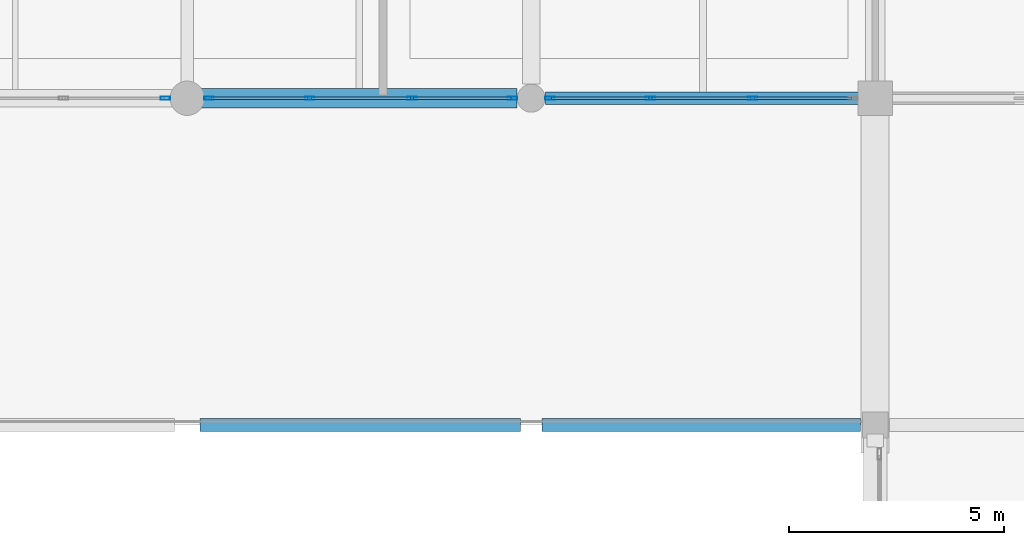
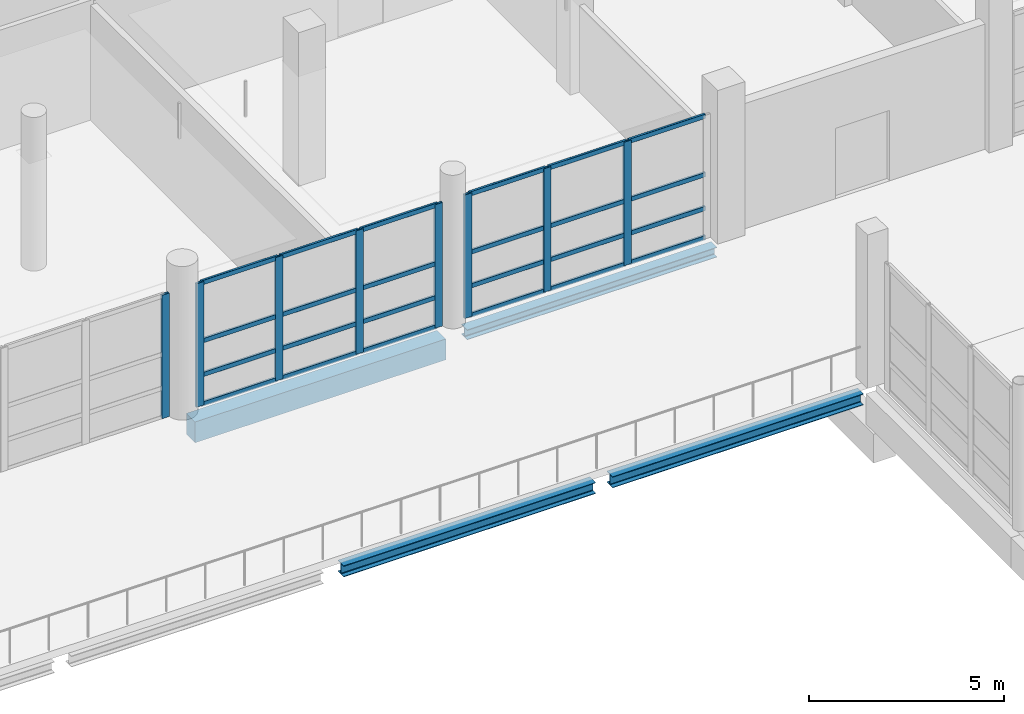
# One storey, part 62 of 141: 32 members, 4 beams, 3 elements without a shape of their own.
"""IFC4 building model written with IfcOpenShell, lengths in metres."""

from ifc_helpers import new_model, si_unit, direction, frame, origin, origin_2d, place, context, subcontext, project, spatial, rectangle, hollow_rectangle, i_section, extrude, material, material_profile, profile_set, type_object, element, aggregate, save


model = new_model("IFC4")

# Units and contexts
model_context = context("Model", 3, precision=1e-05, world=origin(), true_north=direction((0.0, 1.0)))
body_context = subcontext(model_context, "Body", "Model", "MODEL_VIEW")
ifc_project = project(units=[si_unit("LENGTHUNIT", "METRE"), si_unit("AREAUNIT", "SQUARE_METRE"), si_unit("VOLUMEUNIT", "CUBIC_METRE"), si_unit("PLANEANGLEUNIT", "RADIAN"), si_unit("MASSUNIT", "GRAM", prefix="KILO")], contexts=[model_context])

# Site, building, storey
site_placement = place(None, origin())
site = spatial("IfcSite", under=ifc_project, at=site_placement, CompositionType="ELEMENT")
building_placement = place(site_placement, origin())
building = spatial("IfcBuilding", under=site, at=building_placement, Name="Khelvaren Railside Concert Hall", CompositionType="ELEMENT")
storey_placement = place(building_placement, frame((0.0, 0.0, 10.199951171875)))
storey = spatial("IfcBuildingStorey", under=building, at=storey_placement, Name="L02", CompositionType="ELEMENT", Elevation=10.199951171875)

# Curtain wall, member
ifc_material_1 = material(Name="Double-glazed clear foyer glass", Category="glass")
curtain_wall_type_1 = type_object("IfcCurtainWallType", Name="CW83", PredefinedType="USERDEFINED", material=ifc_material_1)
curtain_wall_1_placement = place(storey_placement, origin())
curtain_wall_1 = element("IfcCurtainWall", 1, at=curtain_wall_1_placement, inside=storey, type_object=curtain_wall_type_1, Name="Unitised Curtain Wall CW-V5-L02-S-136", ObjectType="UNITISED CURTAIN WALL", PredefinedType="USERDEFINED")
ifc_material_2 = material(Name="Anodised architectural aluminium 6063-T6", Category="aluminium")
ifc_material_profile_1 = material_profile(ifc_material_2, hollow_rectangle(XDim=0.074951171875, YDim=0.219970703125, WallThickness=0.0048828125, InnerFilletRadius=0.0029296875, OuterFilletRadius=0.0048828125, at=origin_2d()), Name="CWM 75x220x5")
ifc_profile_set_1 = profile_set([ifc_material_profile_1], Name="Anodised architectural aluminium 6063-T6")
member_type_1 = type_object("IfcMemberType", Name="CWM13", PredefinedType="MULLION", material=ifc_profile_set_1)
member_1_placement = place(storey_placement, frame((143.489990234375, 91.199951171875, 0.0), z_axis=(0.0, 0.0, 1.0), x_axis=(0.0, -1.0, 0.0)))
member_1 = element("IfcMember", 2, at=member_1_placement, type_object=member_type_1, Name="CW83 mullion 1", PredefinedType="MULLION", context=body_context, shape_type="SweptSolid", body=[
    extrude(hollow_rectangle(XDim=0.074951171875, YDim=0.219970703125, WallThickness=0.0048828125, InnerFilletRadius=0.0029296875, OuterFilletRadius=0.0048828125, at=origin_2d()), origin(), (0.0, 0.0, 1.0), 3.860107421875),
])
aggregate(curtain_wall_1, [member_1])

# Curtain wall, members
curtain_wall_type_2 = type_object("IfcCurtainWallType", Name="CW64", PredefinedType="USERDEFINED", material=ifc_material_1)
curtain_wall_2_placement = place(storey_placement, origin())
curtain_wall_2 = element("IfcCurtainWall", 3, at=curtain_wall_2_placement, inside=storey, type_object=curtain_wall_type_2, Name="Unitised Curtain Wall CW-V5-L02-S-144", ObjectType="UNITISED CURTAIN WALL", PredefinedType="USERDEFINED")
member_2_placement = place(storey_placement, frame((151.56494140625, 91.199951171875, 0.0), z_axis=(0.0, 0.0, 1.0), x_axis=(0.0, -1.0, 0.0)))
member_2 = element("IfcMember", 4, at=member_2_placement, type_object=member_type_1, Name="CW64 mullion 1", PredefinedType="MULLION", context=body_context, shape_type="SweptSolid", body=[
    extrude(hollow_rectangle(XDim=0.074951171875, YDim=0.219970703125, WallThickness=0.0048828125, InnerFilletRadius=0.0029296875, OuterFilletRadius=0.0048828125, at=origin_2d()), origin(), (0.0, 0.0, 1.0), 3.860107421875),
])
member_3_placement = place(storey_placement, frame((149.225830078125, 91.199951171875, 0.0), z_axis=(0.0, 0.0, 1.0), x_axis=(0.0, -1.0, 0.0)))
member_3 = element("IfcMember", 5, at=member_3_placement, type_object=member_type_1, Name="CW64 mullion 2", PredefinedType="MULLION", context=body_context, shape_type="SweptSolid", body=[
    extrude(hollow_rectangle(XDim=0.074951171875, YDim=0.219970703125, WallThickness=0.0048828125, InnerFilletRadius=0.0029296875, OuterFilletRadius=0.0048828125, at=origin_2d()), origin(), (0.0, 0.0, 1.0), 3.860107421875),
])
member_4_placement = place(storey_placement, frame((146.84912109375, 91.199951171875, 0.0), z_axis=(0.0, 0.0, 1.0), x_axis=(0.0, -1.0, 0.0)))
member_4 = element("IfcMember", 6, at=member_4_placement, type_object=member_type_1, Name="CW64 mullion 3", PredefinedType="MULLION", context=body_context, shape_type="SweptSolid", body=[
    extrude(hollow_rectangle(XDim=0.074951171875, YDim=0.219970703125, WallThickness=0.0048828125, InnerFilletRadius=0.0029296875, OuterFilletRadius=0.0048828125, at=origin_2d()), origin(), (0.0, 0.0, 1.0), 3.860107421875),
])
member_5_placement = place(storey_placement, frame((144.510009765625, 91.199951171875, 0.0), z_axis=(0.0, 0.0, 1.0), x_axis=(0.0, -1.0, 0.0)))
member_5 = element("IfcMember", 7, at=member_5_placement, type_object=member_type_1, Name="CW64 mullion 4", PredefinedType="MULLION", context=body_context, shape_type="SweptSolid", body=[
    extrude(hollow_rectangle(XDim=0.074951171875, YDim=0.219970703125, WallThickness=0.0048828125, InnerFilletRadius=0.0029296875, OuterFilletRadius=0.0048828125, at=origin_2d()), origin(), (0.0, 0.0, 1.0), 3.860107421875),
])

curtain_wall_type_3 = type_object("IfcCurtainWallType", Name="CW68", PredefinedType="USERDEFINED", material=ifc_material_1)
curtain_wall_3_placement = place(storey_placement, origin())
curtain_wall_3 = element("IfcCurtainWall", 8, at=curtain_wall_3_placement, inside=storey, type_object=curtain_wall_type_3, Name="Unitised Curtain Wall CW-V5-L02-S-152", ObjectType="UNITISED CURTAIN WALL", PredefinedType="USERDEFINED")
member_6_placement = place(storey_placement, frame((157.15087890625, 91.199951171875, 0.0), z_axis=(0.0, 0.0, 1.0), x_axis=(0.0, -1.0, 0.0)))
member_6 = element("IfcMember", 9, at=member_6_placement, type_object=member_type_1, Name="CW68 mullion 2", PredefinedType="MULLION", context=body_context, shape_type="SweptSolid", body=[
    extrude(hollow_rectangle(XDim=0.074951171875, YDim=0.219970703125, WallThickness=0.0048828125, InnerFilletRadius=0.0029296875, OuterFilletRadius=0.0048828125, at=origin_2d()), origin(), (0.0, 0.0, 1.0), 3.860107421875),
])
member_7_placement = place(storey_placement, frame((154.774169921875, 91.199951171875, 0.0), z_axis=(0.0, 0.0, 1.0), x_axis=(0.0, -1.0, 0.0)))
member_7 = element("IfcMember", 10, at=member_7_placement, type_object=member_type_1, Name="CW68 mullion 3", PredefinedType="MULLION", context=body_context, shape_type="SweptSolid", body=[
    extrude(hollow_rectangle(XDim=0.074951171875, YDim=0.219970703125, WallThickness=0.0048828125, InnerFilletRadius=0.0029296875, OuterFilletRadius=0.0048828125, at=origin_2d()), origin(), (0.0, 0.0, 1.0), 3.860107421875),
])
member_8_placement = place(storey_placement, frame((152.43505859375, 91.199951171875, 0.0), z_axis=(0.0, 0.0, 1.0), x_axis=(0.0, -1.0, 0.0)))
member_8 = element("IfcMember", 11, at=member_8_placement, type_object=member_type_1, Name="CW68 mullion 4", PredefinedType="MULLION", context=body_context, shape_type="SweptSolid", body=[
    extrude(hollow_rectangle(XDim=0.074951171875, YDim=0.219970703125, WallThickness=0.0048828125, InnerFilletRadius=0.0029296875, OuterFilletRadius=0.0048828125, at=origin_2d()), origin(), (0.0, 0.0, 1.0), 3.860107421875),
])

# Member
ifc_material_profile_2 = material_profile(ifc_material_2, hollow_rectangle(XDim=0.06494140625, YDim=0.139892578125, WallThickness=0.00390625, InnerFilletRadius=0.001953125, OuterFilletRadius=0.00390625, at=origin_2d()), Name="CWT 65x140x4")
ifc_profile_set_2 = profile_set([ifc_material_profile_2], Name="Anodised architectural aluminium 6063-T6")
member_type_2 = type_object("IfcMemberType", Name="CWT72", PredefinedType="USERDEFINED", material=ifc_profile_set_2)
member_9_placement = place(storey_placement, frame((151.527587890625, 91.199951171875, 0.032470703125), z_axis=(-1.0, 0.0, 0.0), x_axis=(0.0, -1.0, 0.0)))
member_9 = element("IfcMember", 12, at=member_9_placement, type_object=member_type_2, Name="CW64 transom 1.1", ObjectType="TRANSOM", PredefinedType="USERDEFINED", context=body_context, shape_type="SweptSolid", body=[
    extrude(hollow_rectangle(XDim=0.06494140625, YDim=0.139892578125, WallThickness=0.00390625, InnerFilletRadius=0.001953125, OuterFilletRadius=0.00390625, at=origin_2d()), origin(), (0.0, 0.0, 1.0), 2.26416015625),
])

member_10_placement = place(storey_placement, frame((151.527587890625, 91.199951171875, 0.949951171875), z_axis=(-1.0, 0.0, 0.0), x_axis=(0.0, -1.0, 0.0)))
member_10 = element("IfcMember", 13, at=member_10_placement, type_object=member_type_2, Name="CW64 transom 1.2", ObjectType="TRANSOM", PredefinedType="USERDEFINED", context=body_context, shape_type="SweptSolid", body=[
    extrude(hollow_rectangle(XDim=0.06494140625, YDim=0.139892578125, WallThickness=0.00390625, InnerFilletRadius=0.001953125, OuterFilletRadius=0.00390625, at=origin_2d()), origin(), (0.0, 0.0, 1.0), 2.26416015625),
])

member_11_placement = place(storey_placement, frame((151.527587890625, 91.199951171875, 2.00732421875), z_axis=(-1.0, 0.0, 0.0), x_axis=(0.0, -1.0, 0.0)))
member_11 = element("IfcMember", 14, at=member_11_placement, type_object=member_type_2, Name="CW64 transom 1.3", ObjectType="TRANSOM", PredefinedType="USERDEFINED", context=body_context, shape_type="SweptSolid", body=[
    extrude(hollow_rectangle(XDim=0.06494140625, YDim=0.139892578125, WallThickness=0.00390625, InnerFilletRadius=0.001953125, OuterFilletRadius=0.00390625, at=origin_2d()), origin(), (0.0, 0.0, 1.0), 2.26416015625),
])

member_12_placement = place(storey_placement, frame((151.527587890625, 91.199951171875, 3.82763671875), z_axis=(-1.0, 0.0, 0.0), x_axis=(0.0, -1.0, 0.0)))
member_12 = element("IfcMember", 15, at=member_12_placement, type_object=member_type_2, Name="CW64 transom 1.4", ObjectType="TRANSOM", PredefinedType="USERDEFINED", context=body_context, shape_type="SweptSolid", body=[
    extrude(hollow_rectangle(XDim=0.06494140625, YDim=0.139892578125, WallThickness=0.00390625, InnerFilletRadius=0.001953125, OuterFilletRadius=0.00390625, at=origin_2d()), origin(), (0.0, 0.0, 1.0), 2.26416015625),
])

member_13_placement = place(storey_placement, frame((149.188232421875, 91.199951171875, 0.032470703125), z_axis=(-1.0, 0.0, 0.0), x_axis=(0.0, -1.0, 0.0)))
member_13 = element("IfcMember", 16, at=member_13_placement, type_object=member_type_2, Name="CW64 transom 2.1", ObjectType="TRANSOM", PredefinedType="USERDEFINED", context=body_context, shape_type="SweptSolid", body=[
    extrude(hollow_rectangle(XDim=0.06494140625, YDim=0.139892578125, WallThickness=0.00390625, InnerFilletRadius=0.001953125, OuterFilletRadius=0.00390625, at=origin_2d()), origin(), (0.0, 0.0, 1.0), 2.301513671875),
])

member_14_placement = place(storey_placement, frame((149.188232421875, 91.199951171875, 0.949951171875), z_axis=(-1.0, 0.0, 0.0), x_axis=(0.0, -1.0, 0.0)))
member_14 = element("IfcMember", 17, at=member_14_placement, type_object=member_type_2, Name="CW64 transom 2.2", ObjectType="TRANSOM", PredefinedType="USERDEFINED", context=body_context, shape_type="SweptSolid", body=[
    extrude(hollow_rectangle(XDim=0.06494140625, YDim=0.139892578125, WallThickness=0.00390625, InnerFilletRadius=0.001953125, OuterFilletRadius=0.00390625, at=origin_2d()), origin(), (0.0, 0.0, 1.0), 2.301513671875),
])

member_15_placement = place(storey_placement, frame((149.188232421875, 91.199951171875, 2.00732421875), z_axis=(-1.0, 0.0, 0.0), x_axis=(0.0, -1.0, 0.0)))
member_15 = element("IfcMember", 18, at=member_15_placement, type_object=member_type_2, Name="CW64 transom 2.3", ObjectType="TRANSOM", PredefinedType="USERDEFINED", context=body_context, shape_type="SweptSolid", body=[
    extrude(hollow_rectangle(XDim=0.06494140625, YDim=0.139892578125, WallThickness=0.00390625, InnerFilletRadius=0.001953125, OuterFilletRadius=0.00390625, at=origin_2d()), origin(), (0.0, 0.0, 1.0), 2.301513671875),
])

member_16_placement = place(storey_placement, frame((149.188232421875, 91.199951171875, 3.82763671875), z_axis=(-1.0, 0.0, 0.0), x_axis=(0.0, -1.0, 0.0)))
member_16 = element("IfcMember", 19, at=member_16_placement, type_object=member_type_2, Name="CW64 transom 2.4", ObjectType="TRANSOM", PredefinedType="USERDEFINED", context=body_context, shape_type="SweptSolid", body=[
    extrude(hollow_rectangle(XDim=0.06494140625, YDim=0.139892578125, WallThickness=0.00390625, InnerFilletRadius=0.001953125, OuterFilletRadius=0.00390625, at=origin_2d()), origin(), (0.0, 0.0, 1.0), 2.301513671875),
])

member_17_placement = place(storey_placement, frame((146.811767578125, 91.199951171875, 0.032470703125), z_axis=(-1.0, 0.0, 0.0), x_axis=(0.0, -1.0, 0.0)))
member_17 = element("IfcMember", 20, at=member_17_placement, type_object=member_type_2, Name="CW64 transom 3.1", ObjectType="TRANSOM", PredefinedType="USERDEFINED", context=body_context, shape_type="SweptSolid", body=[
    extrude(hollow_rectangle(XDim=0.06494140625, YDim=0.139892578125, WallThickness=0.00390625, InnerFilletRadius=0.001953125, OuterFilletRadius=0.00390625, at=origin_2d()), origin(), (0.0, 0.0, 1.0), 2.26416015625),
])

member_18_placement = place(storey_placement, frame((146.811767578125, 91.199951171875, 0.949951171875), z_axis=(-1.0, 0.0, 0.0), x_axis=(0.0, -1.0, 0.0)))
member_18 = element("IfcMember", 21, at=member_18_placement, type_object=member_type_2, Name="CW64 transom 3.2", ObjectType="TRANSOM", PredefinedType="USERDEFINED", context=body_context, shape_type="SweptSolid", body=[
    extrude(hollow_rectangle(XDim=0.06494140625, YDim=0.139892578125, WallThickness=0.00390625, InnerFilletRadius=0.001953125, OuterFilletRadius=0.00390625, at=origin_2d()), origin(), (0.0, 0.0, 1.0), 2.26416015625),
])

member_19_placement = place(storey_placement, frame((146.811767578125, 91.199951171875, 2.00732421875), z_axis=(-1.0, 0.0, 0.0), x_axis=(0.0, -1.0, 0.0)))
member_19 = element("IfcMember", 22, at=member_19_placement, type_object=member_type_2, Name="CW64 transom 3.3", ObjectType="TRANSOM", PredefinedType="USERDEFINED", context=body_context, shape_type="SweptSolid", body=[
    extrude(hollow_rectangle(XDim=0.06494140625, YDim=0.139892578125, WallThickness=0.00390625, InnerFilletRadius=0.001953125, OuterFilletRadius=0.00390625, at=origin_2d()), origin(), (0.0, 0.0, 1.0), 2.26416015625),
])

member_20_placement = place(storey_placement, frame((146.811767578125, 91.199951171875, 3.82763671875), z_axis=(-1.0, 0.0, 0.0), x_axis=(0.0, -1.0, 0.0)))
member_20 = element("IfcMember", 23, at=member_20_placement, type_object=member_type_2, Name="CW64 transom 3.4", ObjectType="TRANSOM", PredefinedType="USERDEFINED", context=body_context, shape_type="SweptSolid", body=[
    extrude(hollow_rectangle(XDim=0.06494140625, YDim=0.139892578125, WallThickness=0.00390625, InnerFilletRadius=0.001953125, OuterFilletRadius=0.00390625, at=origin_2d()), origin(), (0.0, 0.0, 1.0), 2.26416015625),
])

aggregate(curtain_wall_2, [member_2, member_3, member_4, member_5, member_9, member_10, member_11, member_12, member_13, member_14, member_15, member_16, member_17, member_18, member_19, member_20])

member_21_placement = place(storey_placement, frame((159.452392578125, 91.199951171875, 0.032470703125), z_axis=(-1.0, 0.0, 0.0), x_axis=(0.0, -1.0, 0.0)))
member_21 = element("IfcMember", 24, at=member_21_placement, type_object=member_type_2, Name="CW68 transom 1.1", ObjectType="TRANSOM", PredefinedType="USERDEFINED", context=body_context, shape_type="SweptSolid", body=[
    extrude(hollow_rectangle(XDim=0.06494140625, YDim=0.139892578125, WallThickness=0.00390625, InnerFilletRadius=0.001953125, OuterFilletRadius=0.00390625, at=origin_2d()), origin(), (0.0, 0.0, 1.0), 2.26416015625),
])

member_22_placement = place(storey_placement, frame((159.452392578125, 91.199951171875, 0.949951171875), z_axis=(-1.0, 0.0, 0.0), x_axis=(0.0, -1.0, 0.0)))
member_22 = element("IfcMember", 25, at=member_22_placement, type_object=member_type_2, Name="CW68 transom 1.2", ObjectType="TRANSOM", PredefinedType="USERDEFINED", context=body_context, shape_type="SweptSolid", body=[
    extrude(hollow_rectangle(XDim=0.06494140625, YDim=0.139892578125, WallThickness=0.00390625, InnerFilletRadius=0.001953125, OuterFilletRadius=0.00390625, at=origin_2d()), origin(), (0.0, 0.0, 1.0), 2.26416015625),
])

member_23_placement = place(storey_placement, frame((159.452392578125, 91.199951171875, 2.00732421875), z_axis=(-1.0, 0.0, 0.0), x_axis=(0.0, -1.0, 0.0)))
member_23 = element("IfcMember", 26, at=member_23_placement, type_object=member_type_2, Name="CW68 transom 1.3", ObjectType="TRANSOM", PredefinedType="USERDEFINED", context=body_context, shape_type="SweptSolid", body=[
    extrude(hollow_rectangle(XDim=0.06494140625, YDim=0.139892578125, WallThickness=0.00390625, InnerFilletRadius=0.001953125, OuterFilletRadius=0.00390625, at=origin_2d()), origin(), (0.0, 0.0, 1.0), 2.26416015625),
])

member_24_placement = place(storey_placement, frame((159.452392578125, 91.199951171875, 3.82763671875), z_axis=(-1.0, 0.0, 0.0), x_axis=(0.0, -1.0, 0.0)))
member_24 = element("IfcMember", 27, at=member_24_placement, type_object=member_type_2, Name="CW68 transom 1.4", ObjectType="TRANSOM", PredefinedType="USERDEFINED", context=body_context, shape_type="SweptSolid", body=[
    extrude(hollow_rectangle(XDim=0.06494140625, YDim=0.139892578125, WallThickness=0.00390625, InnerFilletRadius=0.001953125, OuterFilletRadius=0.00390625, at=origin_2d()), origin(), (0.0, 0.0, 1.0), 2.26416015625),
])

member_25_placement = place(storey_placement, frame((157.11328125, 91.199951171875, 0.032470703125), z_axis=(-1.0, 0.0, 0.0), x_axis=(0.0, -1.0, 0.0)))
member_25 = element("IfcMember", 28, at=member_25_placement, type_object=member_type_2, Name="CW68 transom 2.1", ObjectType="TRANSOM", PredefinedType="USERDEFINED", context=body_context, shape_type="SweptSolid", body=[
    extrude(hollow_rectangle(XDim=0.06494140625, YDim=0.139892578125, WallThickness=0.00390625, InnerFilletRadius=0.001953125, OuterFilletRadius=0.00390625, at=origin_2d()), origin(), (0.0, 0.0, 1.0), 2.301513671875),
])

member_26_placement = place(storey_placement, frame((157.11328125, 91.199951171875, 0.949951171875), z_axis=(-1.0, 0.0, 0.0), x_axis=(0.0, -1.0, 0.0)))
member_26 = element("IfcMember", 29, at=member_26_placement, type_object=member_type_2, Name="CW68 transom 2.2", ObjectType="TRANSOM", PredefinedType="USERDEFINED", context=body_context, shape_type="SweptSolid", body=[
    extrude(hollow_rectangle(XDim=0.06494140625, YDim=0.139892578125, WallThickness=0.00390625, InnerFilletRadius=0.001953125, OuterFilletRadius=0.00390625, at=origin_2d()), origin(), (0.0, 0.0, 1.0), 2.301513671875),
])

member_27_placement = place(storey_placement, frame((157.11328125, 91.199951171875, 2.00732421875), z_axis=(-1.0, 0.0, 0.0), x_axis=(0.0, -1.0, 0.0)))
member_27 = element("IfcMember", 30, at=member_27_placement, type_object=member_type_2, Name="CW68 transom 2.3", ObjectType="TRANSOM", PredefinedType="USERDEFINED", context=body_context, shape_type="SweptSolid", body=[
    extrude(hollow_rectangle(XDim=0.06494140625, YDim=0.139892578125, WallThickness=0.00390625, InnerFilletRadius=0.001953125, OuterFilletRadius=0.00390625, at=origin_2d()), origin(), (0.0, 0.0, 1.0), 2.301513671875),
])

member_28_placement = place(storey_placement, frame((157.11328125, 91.199951171875, 3.82763671875), z_axis=(-1.0, 0.0, 0.0), x_axis=(0.0, -1.0, 0.0)))
member_28 = element("IfcMember", 31, at=member_28_placement, type_object=member_type_2, Name="CW68 transom 2.4", ObjectType="TRANSOM", PredefinedType="USERDEFINED", context=body_context, shape_type="SweptSolid", body=[
    extrude(hollow_rectangle(XDim=0.06494140625, YDim=0.139892578125, WallThickness=0.00390625, InnerFilletRadius=0.001953125, OuterFilletRadius=0.00390625, at=origin_2d()), origin(), (0.0, 0.0, 1.0), 2.301513671875),
])

member_29_placement = place(storey_placement, frame((154.736572265625, 91.199951171875, 0.032470703125), z_axis=(-1.0, 0.0, 0.0), x_axis=(0.0, -1.0, 0.0)))
member_29 = element("IfcMember", 32, at=member_29_placement, type_object=member_type_2, Name="CW68 transom 3.1", ObjectType="TRANSOM", PredefinedType="USERDEFINED", context=body_context, shape_type="SweptSolid", body=[
    extrude(hollow_rectangle(XDim=0.06494140625, YDim=0.139892578125, WallThickness=0.00390625, InnerFilletRadius=0.001953125, OuterFilletRadius=0.00390625, at=origin_2d()), origin(), (0.0, 0.0, 1.0), 2.26416015625),
])

member_30_placement = place(storey_placement, frame((154.736572265625, 91.199951171875, 0.949951171875), z_axis=(-1.0, 0.0, 0.0), x_axis=(0.0, -1.0, 0.0)))
member_30 = element("IfcMember", 33, at=member_30_placement, type_object=member_type_2, Name="CW68 transom 3.2", ObjectType="TRANSOM", PredefinedType="USERDEFINED", context=body_context, shape_type="SweptSolid", body=[
    extrude(hollow_rectangle(XDim=0.06494140625, YDim=0.139892578125, WallThickness=0.00390625, InnerFilletRadius=0.001953125, OuterFilletRadius=0.00390625, at=origin_2d()), origin(), (0.0, 0.0, 1.0), 2.26416015625),
])

member_31_placement = place(storey_placement, frame((154.736572265625, 91.199951171875, 2.00732421875), z_axis=(-1.0, 0.0, 0.0), x_axis=(0.0, -1.0, 0.0)))
member_31 = element("IfcMember", 34, at=member_31_placement, type_object=member_type_2, Name="CW68 transom 3.3", ObjectType="TRANSOM", PredefinedType="USERDEFINED", context=body_context, shape_type="SweptSolid", body=[
    extrude(hollow_rectangle(XDim=0.06494140625, YDim=0.139892578125, WallThickness=0.00390625, InnerFilletRadius=0.001953125, OuterFilletRadius=0.00390625, at=origin_2d()), origin(), (0.0, 0.0, 1.0), 2.26416015625),
])

member_32_placement = place(storey_placement, frame((154.736572265625, 91.199951171875, 3.82763671875), z_axis=(-1.0, 0.0, 0.0), x_axis=(0.0, -1.0, 0.0)))
member_32 = element("IfcMember", 35, at=member_32_placement, type_object=member_type_2, Name="CW68 transom 3.4", ObjectType="TRANSOM", PredefinedType="USERDEFINED", context=body_context, shape_type="SweptSolid", body=[
    extrude(hollow_rectangle(XDim=0.06494140625, YDim=0.139892578125, WallThickness=0.00390625, InnerFilletRadius=0.001953125, OuterFilletRadius=0.00390625, at=origin_2d()), origin(), (0.0, 0.0, 1.0), 2.26416015625),
])

aggregate(curtain_wall_3, [member_6, member_7, member_8, member_21, member_22, member_23, member_24, member_25, member_26, member_27, member_28, member_29, member_30, member_31, member_32])

# Beams
ifc_material_3 = material(Name="Concrete C40/50", Category="concrete")
ifc_material_profile_3 = material_profile(ifc_material_3, rectangle(XDim=0.449951171875, YDim=0.64990234375, at=origin_2d()), Name="RCB 450x650")
ifc_profile_set_3 = profile_set([ifc_material_profile_3], Name="Concrete C40/50")
beam_type_1 = type_object("IfcBeamType", Name="SP34", PredefinedType="SPANDREL", material=ifc_profile_set_3)
beam_1_placement = place(storey_placement, frame((144.25, 91.199951171875, -0.614990234375), z_axis=(1.0, 0.0, 0.0), x_axis=(0.0, 1.0, 0.0)))
element("IfcBeam", 36, at=beam_1_placement, inside=storey, type_object=beam_type_1, Name="V5 L02 Spandrel X2.3", PredefinedType="SPANDREL", context=body_context, shape_type="SweptSolid", body=[
    extrude(rectangle(XDim=0.449951171875, YDim=0.64990234375, at=origin_2d()), origin(), (0.0, 0.0, 1.0), 7.4140625),
])
ifc_material_4 = material(Name="Steel S355", Category="steel")
ifc_material_profile_4 = material_profile(ifc_material_4, i_section(OverallWidth=0.300048828125, OverallDepth=0.35009765625, WebThickness=0.010009765625, FlangeThickness=0.017578125, FilletRadius=0.027099609375, at=origin_2d()), Name="HEA 360")
ifc_profile_set_4 = profile_set([ifc_material_profile_4], Name="Steel S355")
beam_type_2 = type_object("IfcBeamType", Name="SP38", PredefinedType="SPANDREL", material=ifc_profile_set_4)
beam_2_placement = place(storey_placement, frame((144.300048828125, 83.60009765625, -0.4150390625), z_axis=(1.0, 0.0, 0.0), x_axis=(0.0, 1.0, 0.0)))
element("IfcBeam", 37, at=beam_2_placement, inside=storey, type_object=beam_type_2, Name="V5 L02 Terrace Edge Spandrel 22", PredefinedType="SPANDREL", context=body_context, shape_type="SweptSolid", body=[
    extrude(i_section(OverallWidth=0.300048828125, OverallDepth=0.35009765625, WebThickness=0.010009765625, FlangeThickness=0.017578125, FilletRadius=0.027099609375, at=origin_2d()), origin(), (0.0, 0.0, 1.0), 7.449951171875),
])
beam_3_placement = place(storey_placement, frame((152.25, 83.60009765625, -0.4150390625), z_axis=(1.0, 0.0, 0.0), x_axis=(0.0, 1.0, 0.0)))
element("IfcBeam", 38, at=beam_3_placement, inside=storey, type_object=beam_type_2, Name="V5 L02 Terrace Edge Spandrel 23", PredefinedType="SPANDREL", context=body_context, shape_type="SweptSolid", body=[
    extrude(i_section(OverallWidth=0.300048828125, OverallDepth=0.35009765625, WebThickness=0.010009765625, FlangeThickness=0.017578125, FilletRadius=0.027099609375, at=origin_2d()), origin(), (0.0, 0.0, 1.0), 7.4140625),
])
ifc_material_profile_5 = material_profile(ifc_material_4, i_section(OverallWidth=0.300048828125, OverallDepth=0.31005859375, WebThickness=0.009033203125, FlangeThickness=0.015380859375, FilletRadius=0.027099609375, at=origin_2d()), Name="HEA 320")
ifc_profile_set_5 = profile_set([ifc_material_profile_5], Name="Steel S355")
beam_type_3 = type_object("IfcBeamType", Name="SP66", PredefinedType="SPANDREL", material=ifc_profile_set_5)
beam_4_placement = place(storey_placement, frame((152.3359375, 91.199951171875, -0.445068359375), z_axis=(1.0, 0.0, 0.0), x_axis=(0.0, 1.0, 0.0)))
element("IfcBeam", 39, at=beam_4_placement, inside=storey, type_object=beam_type_3, Name="V5 L02 Spandrel X2.4", PredefinedType="SPANDREL", context=body_context, shape_type="SweptSolid", body=[
    extrude(i_section(OverallWidth=0.300048828125, OverallDepth=0.31005859375, WebThickness=0.009033203125, FlangeThickness=0.015380859375, FilletRadius=0.027099609375, at=origin_2d()), origin(), (0.0, 0.0, 1.0), 7.39111328125),
])

save(model, "model.ifc")
